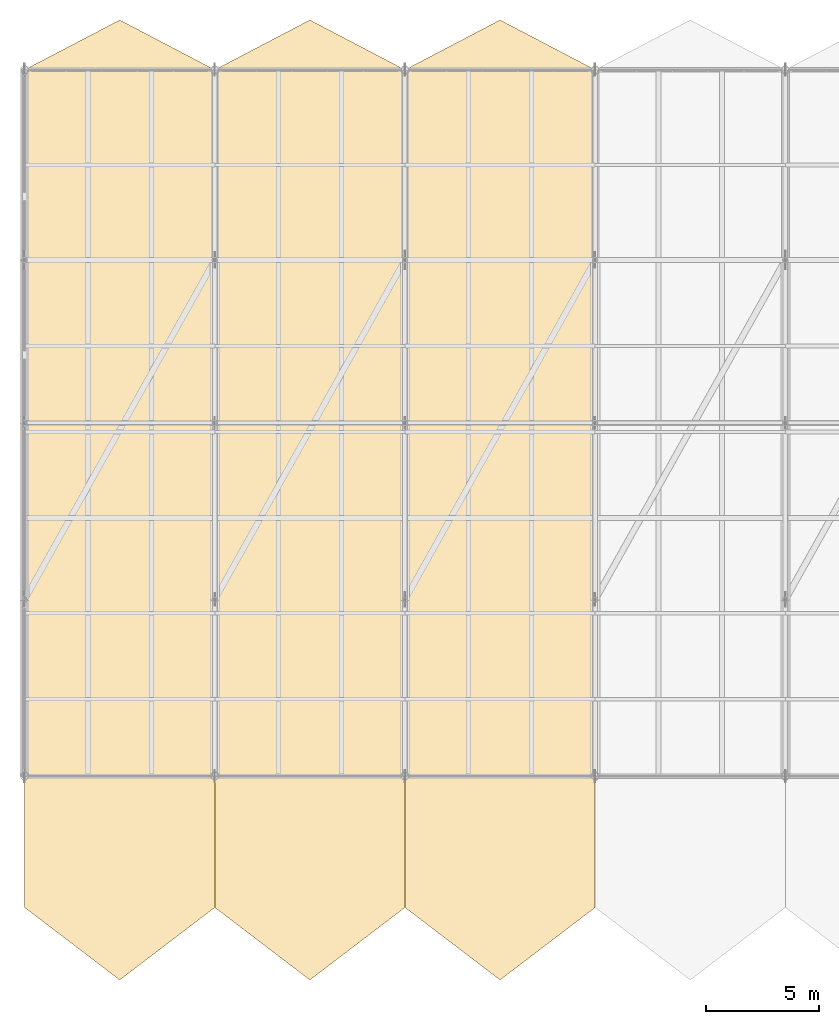
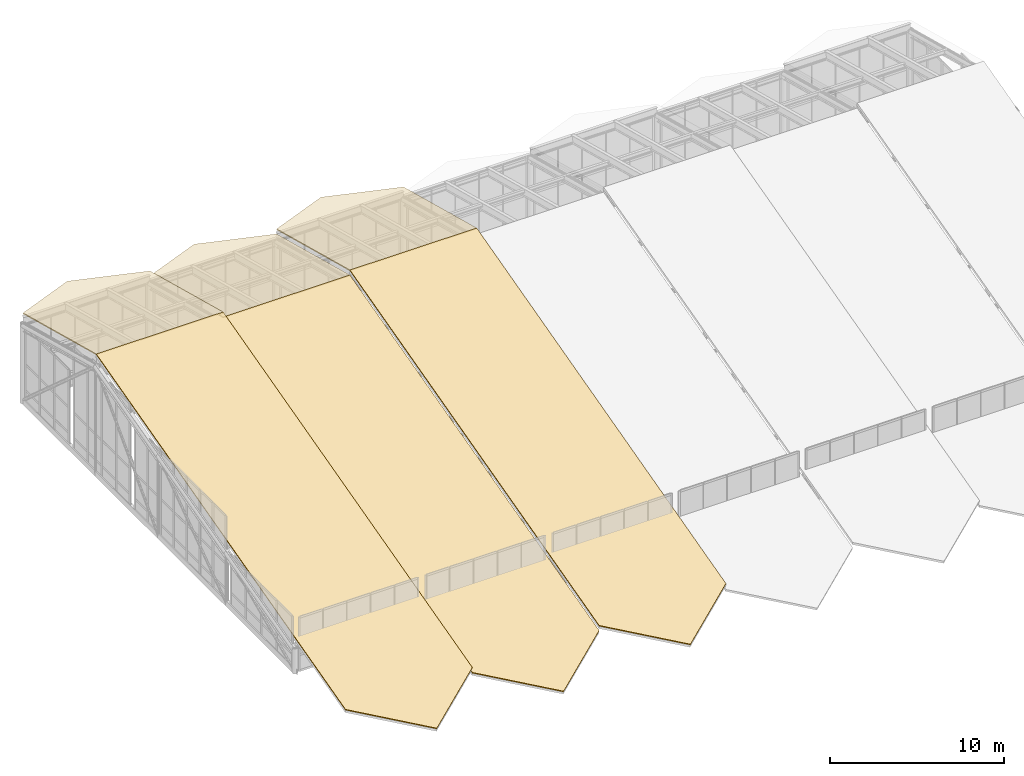
# One storey, part 43 of 43: 6 coverings.
"""IFC4 building model written with IfcOpenShell, lengths in metres."""

import ifcopenshell
import ifcopenshell.guid

model = None  # the IFC model being written
_history = None  # IfcOwnerHistory: only IFC2X3 demands one
_inside = {}  # id of a spatial element -> (the spatial element, [elements in it])
_under = {}  # id of a project, library or spatial element -> (it, [spatial elements below it])
_declared = {}  # id of a project -> (the project, [libraries it declares])
_typed = {}  # id of a type object -> (the type object, [elements of that type])
_made_of = {}  # id of a material, layer set ... -> (it, [elements and type objects made of it])


def new_model(schema):
    """Start an empty IFC model of exactly this schema.

    Asked for "IFC4X3", IfcOpenShell would pick the latest addendum, in which some entities
    have other attributes; the version numbers below select the first issue.
    IFC2X3 requires an IfcOwnerHistory on every rooted entity: one is made here for all.
    """
    global model, _history
    if schema == "IFC4X3":
        model = ifcopenshell.file(schema_version=(4, 3, 0, 0))
    else:
        model = ifcopenshell.file(schema=schema)
    _inside.clear()
    _under.clear()
    _declared.clear()
    _typed.clear()
    _made_of.clear()
    _history = None
    if model.schema == "IFC2X3":
        org = make("IfcOrganization", Name="unknown")
        user = make(
            "IfcPersonAndOrganization",
            ThePerson=make("IfcPerson", FamilyName="unknown"),
            TheOrganization=org,
        )
        app = make(
            "IfcApplication",
            ApplicationDeveloper=org,
            Version="unknown",
            ApplicationFullName="unknown",
            ApplicationIdentifier="unknown",
        )
        _history = make(
            "IfcOwnerHistory",
            OwningUser=user,
            OwningApplication=app,
            ChangeAction="ADDED",
            CreationDate=0,
        )
    return model


def make(cls, **values):
    """One entity of the class cls with the attributes given. An attribute that is None is left unset."""
    return model.create_entity(
        cls, **{name: value for name, value in values.items() if value is not None}
    )


def rooted(cls, **values):
    """An entity with a GlobalId (a new one), such as an element, a storey or a relation."""
    return make(cls, GlobalId=ifcopenshell.guid.new(), OwnerHistory=_history, **values)


def si_unit(unit_type, name, prefix=None):
    """IfcSIUnit, for example si_unit("LENGTHUNIT", "METRE", prefix="MILLI")."""
    return make("IfcSIUnit", UnitType=unit_type, Prefix=prefix, Name=name)


def assignment(units):
    """IfcUnitAssignment: the units of a project."""
    return None if units is None else make("IfcUnitAssignment", Units=units)


def point(xyz):
    """IfcCartesianPoint."""
    return None if xyz is None else make("IfcCartesianPoint", Coordinates=xyz)


def direction(xyz):
    """IfcDirection."""
    return None if xyz is None else make("IfcDirection", DirectionRatios=xyz)


def frame(location, z_axis=None, x_axis=None):
    """IfcAxis2Placement3D, a coordinate frame: its origin and axes. An axis left out is left unset."""
    return make(
        "IfcAxis2Placement3D",
        Location=point(location),
        Axis=direction(z_axis),
        RefDirection=direction(x_axis),
    )


def origin():
    """The frame at (0, 0, 0) with its axes left unset."""
    return frame((0.0, 0.0, 0.0))


def place(relative_to, where):
    """IfcLocalPlacement: puts the frame where relative to a parent placement (None: the world)."""
    return make(
        "IfcLocalPlacement", PlacementRelTo=relative_to, RelativePlacement=where
    )


def context(
    kind, dimensions, precision=None, world=None, true_north=None, identifier=None
):
    """IfcGeometricRepresentationContext, for example the 3D "Model" context."""
    return make(
        "IfcGeometricRepresentationContext",
        ContextIdentifier=identifier,
        ContextType=kind,
        CoordinateSpaceDimension=dimensions,
        Precision=precision,
        WorldCoordinateSystem=world,
        TrueNorth=true_north,
    )


def subcontext(parent, identifier, kind, view, scale=None):
    """IfcGeometricRepresentationSubContext, for example "Body" below "Model"."""
    return make(
        "IfcGeometricRepresentationSubContext",
        ContextIdentifier=identifier,
        ContextType=kind,
        ParentContext=parent,
        TargetScale=scale,
        TargetView=view,
    )


def project(units=None, contexts=None):
    """IfcProject with its units and contexts."""
    return rooted(
        "IfcProject",
        Name="project",
        RepresentationContexts=contexts,
        UnitsInContext=assignment(units),
    )


def spatial(cls, under=None, at=None, **own):
    """A site, building, storey or space (cls), placed at a placement, below another one or the project."""
    s = rooted(cls, ObjectPlacement=at, **own)
    if under is not None:
        _under.setdefault(under.id(), (under, []))[1].append(s)
    return s


def polyline(points):
    """IfcPolyline through the points."""
    return make("IfcPolyline", Points=[point(p) for p in points])


def outline(outer, holes=None, kind="AREA"):
    """IfcArbitraryClosedProfileDef: a profile drawn as a closed curve; with holes, ...WithVoids."""
    if holes is None:
        return make("IfcArbitraryClosedProfileDef", ProfileType=kind, OuterCurve=outer)
    return make(
        "IfcArbitraryProfileDefWithVoids",
        ProfileType=kind,
        OuterCurve=outer,
        InnerCurves=holes,
    )


def extrude(swept, where, along, depth):
    """IfcExtrudedAreaSolid: the profile swept, set in the frame where, extruded along a direction by depth."""
    return make(
        "IfcExtrudedAreaSolid",
        SweptArea=swept,
        Position=where,
        ExtrudedDirection=direction(along),
        Depth=depth,
    )


def shape(context_of_items, identifier, shape_type, items):
    """IfcShapeRepresentation: the items that make up one representation, for example the "Body"."""
    return make(
        "IfcShapeRepresentation",
        ContextOfItems=context_of_items,
        RepresentationIdentifier=identifier,
        RepresentationType=shape_type,
        Items=items,
    )


def material(Name=None, Category=None):
    """IfcMaterial."""
    return make("IfcMaterial", Name=Name, Category=Category)


def layer(
    of_material, thickness, ventilated=None, Name=None, Category=None, Priority=None
):
    """IfcMaterialLayer: one layer of a wall or slab, of a material (None: an air gap)."""
    return make(
        "IfcMaterialLayer",
        Material=of_material,
        LayerThickness=thickness,
        IsVentilated=ventilated,
        Name=Name,
        Category=Category,
        Priority=Priority,
    )


def layer_set(layers, Name=None):
    """IfcMaterialLayerSet."""
    return make("IfcMaterialLayerSet", MaterialLayers=layers, LayerSetName=Name)


def made_of(thing, what):
    """Note that an element or type object is made of a material, layer set ...; save() writes the relation."""
    if what is not None:
        _made_of.setdefault(what.id(), (what, []))[1].append(thing)
    return thing


def type_object(cls, material=None, **own):
    """A type object (cls), such as IfcWallType, which elements share."""
    return made_of(rooted(cls, **own), material)


def element(
    cls,
    number,
    at=None,
    inside=None,
    cuts=None,
    type_object=None,
    material=None,
    context=None,
    identifier="Body",
    shape_type=None,
    held_by="IfcProductDefinitionShape",
    body=None,
    shapes=None,
    **own,
):
    """One element of the class cls, such as IfcWall. Its Tag is "e" and its number.

    at: its placement. inside: the storey or other place that contains it. cuts: it is an
    opening in that element (IfcRelVoidsElement). A single representation is given by context,
    identifier, shape_type and body (its items); several are given by shapes. held_by: the class
    of the entity that holds the representations. save() writes the other relations.
    """
    e = rooted(cls, Tag="e%d" % number, ObjectPlacement=at, **own)
    if body is not None:
        shapes = [shape(context, identifier, shape_type, body)]
    if shapes is not None:
        e.Representation = make(held_by, Representations=shapes)
    if inside is not None:
        _inside.setdefault(inside.id(), (inside, []))[1].append(e)
    if cuts is not None:
        rooted(
            "IfcRelVoidsElement", RelatingBuildingElement=cuts, RelatedOpeningElement=e
        )
    if type_object is not None:
        _typed.setdefault(type_object.id(), (type_object, []))[1].append(e)
    return made_of(e, material)


def aggregate(whole, parts):
    """IfcRelAggregates: a whole, such as a stair, and the parts it consists of."""
    return rooted("IfcRelAggregates", RelatingObject=whole, RelatedObjects=parts)


def save(model, path):
    """Write the relations noted so far, then the file.

    IfcRelAggregates (storeys below a building ...), IfcRelContainedInSpatialStructure (elements
    in a storey), IfcRelDefinesByType, IfcRelAssociatesMaterial and IfcRelDeclares: one each for
    every whole, place, type object, material and project.
    """
    for whole, parts in _under.values():
        aggregate(whole, parts)
    for where, things in _inside.values():
        rooted(
            "IfcRelContainedInSpatialStructure",
            RelatedElements=things,
            RelatingStructure=where,
        )
    for kind, things in _typed.values():
        rooted("IfcRelDefinesByType", RelatedObjects=things, RelatingType=kind)
    for what, things in _made_of.values():
        rooted("IfcRelAssociatesMaterial", RelatedObjects=things, RelatingMaterial=what)
    for by, libraries in _declared.values():
        rooted("IfcRelDeclares", RelatingContext=by, RelatedDefinitions=libraries)
    model.write(path)


model = new_model("IFC4")

# Units and contexts
model_context = context("Model", 3, precision=1e-05, world=origin(), true_north=direction((0.0, 1.0)))
body_context = subcontext(model_context, "Body", "Model", "MODEL_VIEW")
ifc_project = project(units=[si_unit("LENGTHUNIT", "METRE"), si_unit("AREAUNIT", "SQUARE_METRE"), si_unit("VOLUMEUNIT", "CUBIC_METRE"), si_unit("PLANEANGLEUNIT", "RADIAN"), si_unit("MASSUNIT", "GRAM", prefix="KILO")], contexts=[model_context])

# Site, building, storey
site_placement = place(None, origin())
site = spatial("IfcSite", under=ifc_project, at=site_placement, CompositionType="ELEMENT")
building_placement = place(site_placement, origin())
building = spatial("IfcBuilding", under=site, at=building_placement, Name="Selat Folded Stagehouse", CompositionType="ELEMENT")
storey_placement = place(building_placement, frame((0.0, 0.0, 32.39990234375)))
storey = spatial("IfcBuildingStorey", under=building, at=storey_placement, Name="RF", CompositionType="ELEMENT", Elevation=32.39990234375)

# Coverings
ifc_material = material(Name="Standing-seam bronze aluminium and acoustic insulation", Category="aluminium")
ifc_layer = layer(ifc_material, 0.070068359375)
ifc_layer_set = layer_set([ifc_layer], Name="Standing-seam bronze aluminium and acoustic insulation")
covering_type = type_object("IfcCoveringType", Name="COV-ROOF-FP70", PredefinedType="ROOFING", material=ifc_layer_set)
covering_1_placement = place(storey_placement, frame((8.39990234375, 17.60009765625, 0.915283203125), z_axis=(0.0, -0.255396912684, 0.966836292757), x_axis=(0.785429359223, -0.59842458802, -0.158078253164)))
element("IfcCovering", 1, at=covering_1_placement, inside=storey, type_object=covering_type, Name="Folded-plate standing-seam roof covering 01", PredefinedType="ROOFING", context=body_context, shape_type="SweptSolid", body=[
    extrude(outline(polyline([(0.0, 0.0), (5.347642360423648, -1.1657341758564144e-15), (6.597721670599926, 5.199281653868523), (-11.71140428345918, 28.432975290557586), (-18.309125954059105, 23.23369363668906), (0.0, 0.0)])), origin(), (0.0, 0.0, -1.0), 0.070068359375),
])
covering_2_placement = place(storey_placement, frame((8.39990234375, 46.199951171875, 8.47021484375), z_axis=(0.0, 0.255454444523, 0.966821093467), x_axis=(1.0, 0.0, 0.0)))
element("IfcCovering", 2, at=covering_2_placement, inside=storey, type_object=covering_type, Name="Folded-plate standing-seam roof covering 02", PredefinedType="ROOFING", context=body_context, shape_type="SweptSolid", body=[
    extrude(outline(polyline([(0.0, 0.0), (8.400146484375, 0.0), (8.400146484375, 8.688602558941415), (4.2001953125, 10.963682924902503), (0.0, 8.688602558941415), (0.0, 0.0)])), origin(), (0.0, 0.0, -1.0), 0.070068359375),
])
covering_3_placement = place(storey_placement, frame((16.800048828125, 17.60009765625, 0.5654296875), z_axis=(0.0, -0.255389606444, 0.966838222724), x_axis=(0.785411868163, -0.598447241501, -0.158079399317)))
element("IfcCovering", 3, at=covering_3_placement, inside=storey, type_object=covering_type, Name="Folded-plate standing-seam roof covering 03", PredefinedType="ROOFING", context=body_context, shape_type="SweptSolid", body=[
    extrude(outline(polyline([(0.0, 0.0), (5.3474506079199315, -3.885780586188048e-16), (6.597382992190251, 5.199316978113139), (-11.712360913604233, 28.432444241549447), (-18.309743905794484, 23.23312726343631), (0.0, 0.0)])), origin(), (0.0, 0.0, -1.0), 0.070068359375),
])
covering_4_placement = place(storey_placement, frame((16.800048828125, 46.199951171875, 8.1201171875), z_axis=(0.0, 0.255442832141, 0.966824161628), x_axis=(1.0, 0.0, 0.0)))
element("IfcCovering", 4, at=covering_4_placement, inside=storey, type_object=covering_type, Name="Folded-plate standing-seam roof covering 04", PredefinedType="ROOFING", context=body_context, shape_type="SweptSolid", body=[
    extrude(outline(polyline([(0.0, 0.0), (8.39990234375, 0.0), (8.39990234375, 8.68854018598498), (4.199951171875, 10.96368293246872), (0.0, 8.68854018598498), (0.0, 0.0)])), origin(), (0.0, 0.0, -1.0), 0.070068359375),
])
covering_5_placement = place(storey_placement, frame((25.199951171875, 17.60009765625, 0.915283203125), z_axis=(0.0, -0.255396912684, 0.966836292757), x_axis=(0.785411868247, -0.598446046799, -0.158083921658)))
element("IfcCovering", 5, at=covering_5_placement, inside=storey, type_object=covering_type, Name="Folded-plate standing-seam roof covering 05", PredefinedType="ROOFING", context=body_context, shape_type="SweptSolid", body=[
    extrude(outline(polyline([(0.0, 0.0), (5.347450607344084, -3.608224830031759e-16), (6.597574743845096, 5.199468093789498), (-11.71220775321807, 28.432644331991753), (-18.309782497063168, 23.233176238202255), (0.0, 0.0)])), origin(), (0.0, 0.0, -1.0), 0.070068359375),
])
covering_6_placement = place(storey_placement, frame((25.199951171875, 46.199951171875, 8.47021484375), z_axis=(0.0, 0.255454444523, 0.966821093467), x_axis=(1.0, 0.0, 0.0)))
element("IfcCovering", 6, at=covering_6_placement, inside=storey, type_object=covering_type, Name="Folded-plate standing-seam roof covering 06", PredefinedType="ROOFING", context=body_context, shape_type="SweptSolid", body=[
    extrude(outline(polyline([(0.0, 0.0), (8.400146484375, 0.0), (8.400146484375, 8.688602558941415), (4.199951171875, 10.963682924902503), (0.0, 8.688602558941415), (0.0, 0.0)])), origin(), (0.0, 0.0, -1.0), 0.070068359375),
])

save(model, "model.ifc")
